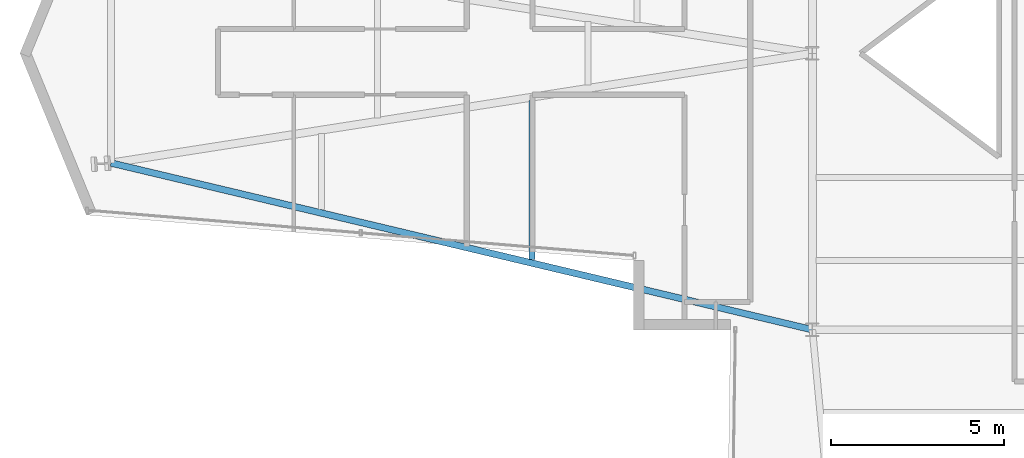
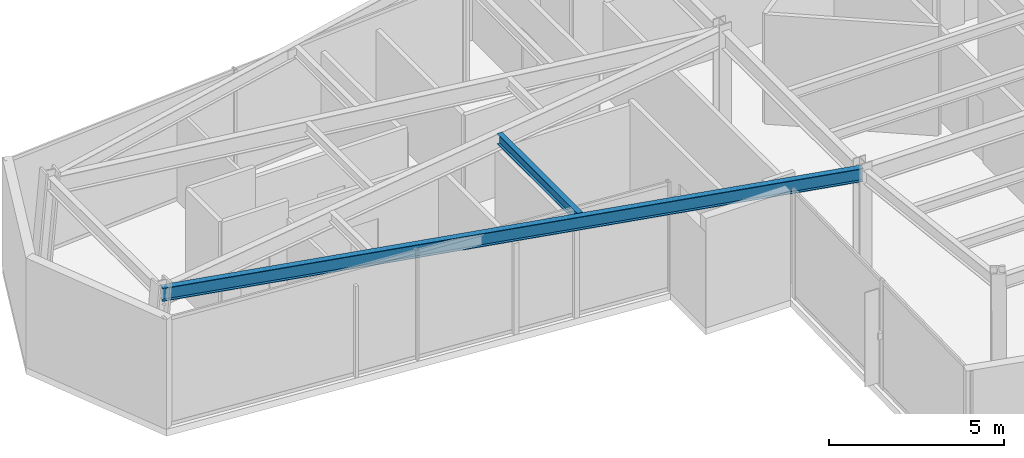
# One storey, part 3 of 24: 2 beams.
"""IFC4 building model written with IfcOpenShell, lengths in metres."""

from ifc_helpers import new_model, si_unit, direction, frame, origin, origin_2d, place, context, subcontext, project, spatial, i_section, extrude, material, material_profile, profile_set, type_object, element, save


model = new_model("IFC4")

# Units and contexts
model_context = context("Model", 3, precision=1e-05, world=origin(), true_north=direction((0.0, 1.0)))
body_context = subcontext(model_context, "Body", "Model", "MODEL_VIEW")
ifc_project = project(units=[si_unit("LENGTHUNIT", "METRE"), si_unit("AREAUNIT", "SQUARE_METRE"), si_unit("VOLUMEUNIT", "CUBIC_METRE"), si_unit("PLANEANGLEUNIT", "RADIAN"), si_unit("MASSUNIT", "GRAM", prefix="KILO")], contexts=[model_context])

# Site, building, storey
site_placement = place(None, origin())
site = spatial("IfcSite", under=ifc_project, at=site_placement, CompositionType="ELEMENT")
building_placement = place(site_placement, origin())
building = spatial("IfcBuilding", under=site, at=building_placement, Name="Veymaron Broadcast Tower", CompositionType="ELEMENT")
storey_placement = place(building_placement, frame((0.0, 0.0, 124.949951171875)))
storey = spatial("IfcBuildingStorey", under=building, at=storey_placement, Name="L28", CompositionType="ELEMENT", Elevation=124.949951171875)

# Beams
ifc_material = material(Name="Structural steel ASTM A992 Gr 50", Category="steel")
ifc_material_profile_1 = material_profile(ifc_material, i_section(OverallWidth=0.1708984375, OverallDepth=0.35498046875, WebThickness=0.007080078125, FlangeThickness=0.01171875, at=origin_2d()), Name="W360X51")
ifc_profile_set_1 = profile_set([ifc_material_profile_1], Name="Structural steel ASTM A992 Gr 50")
beam_type_1 = type_object("IfcBeamType", Name="BM-JS2", PredefinedType="JOIST", material=ifc_profile_set_1)
beam_1_placement = place(storey_placement, frame((23.08203125, 18.030029296875, 3.632568359375), z_axis=(0.0, 1.0, 0.0), x_axis=(-1.0, 0.0, 0.0)))
element("IfcBeam", 1, at=beam_1_placement, inside=storey, type_object=beam_type_1, Name="L28 Arm-A secondary joist 2S", PredefinedType="JOIST", context=body_context, shape_type="SweptSolid", body=[
    extrude(i_section(OverallWidth=0.1708984375, OverallDepth=0.35498046875, WebThickness=0.007080078125, FlangeThickness=0.01171875, at=origin_2d()), origin(), (0.0, 0.0, 1.0), 4.599853515625),
])
ifc_material_profile_2 = material_profile(ifc_material, i_section(OverallWidth=0.19091796875, OverallDepth=0.4599609375, WebThickness=0.010009765625, FlangeThickness=0.01611328125, at=origin_2d()), Name="W460X82")
ifc_profile_set_2 = profile_set([ifc_material_profile_2], Name="Structural steel ASTM A992 Gr 50")
beam_type_2 = type_object("IfcBeamType", Name="BM-SP1", PredefinedType="SPANDREL", material=ifc_profile_set_2)
beam_2_placement = place(storey_placement, frame((10.905029296875, 20.824951171875, 3.580078125), z_axis=(0.972883639047, -0.231295103437, 0.0), x_axis=(0.231295103437, 0.972883639047, 0.0)))
element("IfcBeam", 2, at=beam_2_placement, inside=storey, type_object=beam_type_2, Name="L28 primary structural floor girder", PredefinedType="SPANDREL", context=body_context, shape_type="SweptSolid", body=[
    extrude(i_section(OverallWidth=0.19091796875, OverallDepth=0.4599609375, WebThickness=0.010009765625, FlangeThickness=0.01611328125, at=origin_2d()), origin(), (0.0, 0.0, 1.0), 20.860595703125),
])

save(model, "model.ifc")
